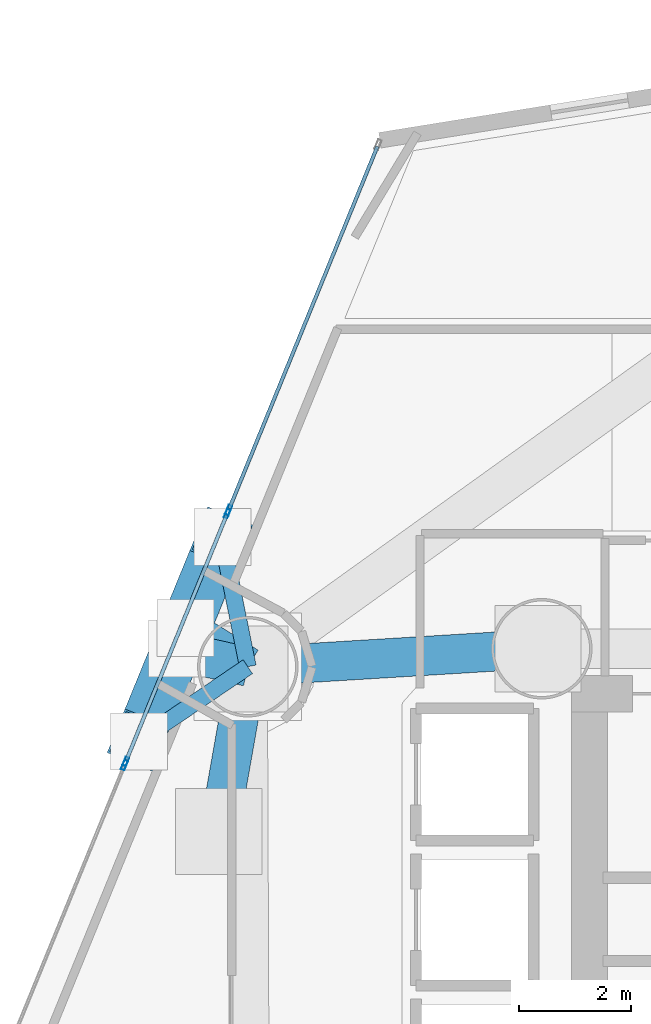
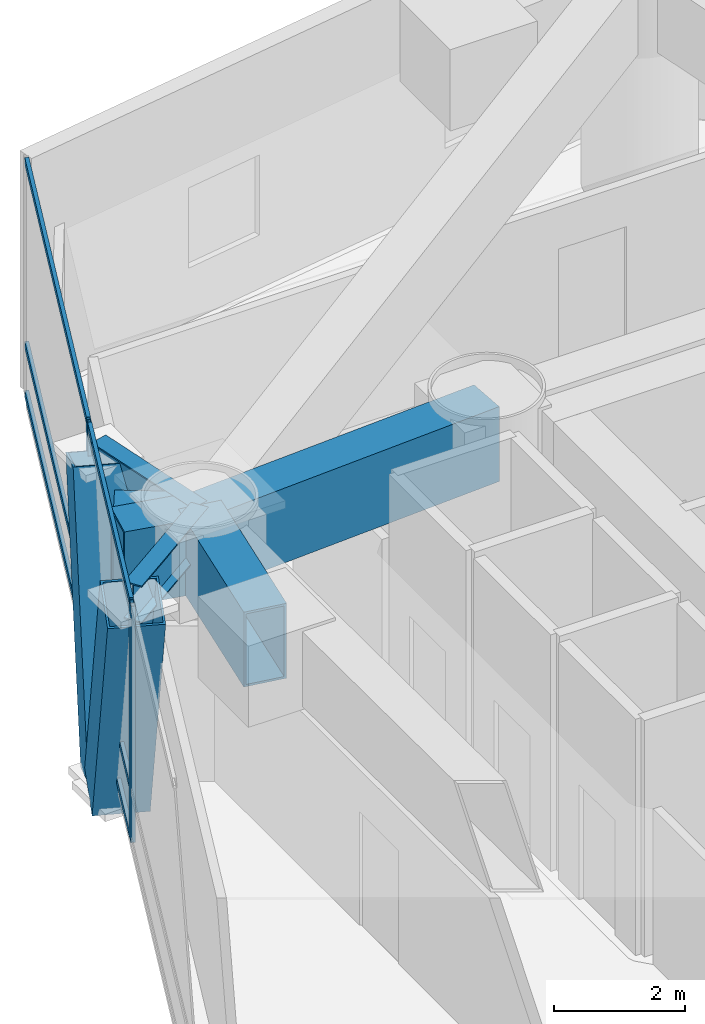
# One storey, part 7 of 22: 12 members, 6 beams, 3 elements without a shape of their own.
"""IFC4 building model written with IfcOpenShell, lengths in metres."""

from ifc_helpers import new_model, si_unit, direction, frame, origin, origin_2d, place, context, subcontext, project, spatial, hollow_rectangle, i_section, extrude, material, layer, layer_set, material_profile, profile_set, type_object, element, aggregate, save


model = new_model("IFC4")

# Units and contexts
model_context = context("Model", 3, precision=1e-05, world=origin(), true_north=direction((0.0, 1.0)))
body_context = subcontext(model_context, "Body", "Model", "MODEL_VIEW")
ifc_project = project(units=[si_unit("LENGTHUNIT", "METRE"), si_unit("AREAUNIT", "SQUARE_METRE"), si_unit("VOLUMEUNIT", "CUBIC_METRE"), si_unit("PLANEANGLEUNIT", "RADIAN"), si_unit("MASSUNIT", "GRAM", prefix="KILO")], contexts=[model_context])

# Site, building, storey
site_placement = place(None, origin())
site = spatial("IfcSite", under=ifc_project, at=site_placement, CompositionType="ELEMENT")
building_placement = place(site_placement, origin())
building = spatial("IfcBuilding", under=site, at=building_placement, Name="Qianvela Tower", CompositionType="ELEMENT")
storey_placement = place(building_placement, frame((0.0, 0.0, 47.89990234375)))
storey = spatial("IfcBuildingStorey", under=building, at=storey_placement, Name="L11", CompositionType="ELEMENT", Elevation=47.89990234375)

# Beams
ifc_material_1 = material(Name="Steel Q355B", Category="steel")
ifc_material_profile_1 = material_profile(ifc_material_1, i_section(OverallWidth=0.300048828125, OverallDepth=0.699951171875, WebThickness=0.012939453125, FlangeThickness=0.02392578125, at=origin_2d()), Name="HN700x300x13x24")
ifc_profile_set_1 = profile_set([ifc_material_profile_1], Name="Steel Q355B")
beam_type_1 = type_object("IfcBeamType", Name="BM-HN700-SPAND", PredefinedType="SPANDREL", material=ifc_profile_set_1)
for number, where, z_axis, x_axis, name in (
    (1, (23.337890625, 33.22802734375, 4.068115234375), (-0.196716257839, 0.980460460142, 0.0), (-0.980460460142, -0.196716257839, 0.0), "L11 Mega-Brace Column Tie Bracket F2-1"),
    (2, (23.337890625, 33.22802734375, 4.068115234375), (-0.827396363656, -0.561618426877, 0.0), (0.561618426877, -0.827396363656, 0.0), "L11 Mega-Brace Column Tie Bracket F2-2"),
):
    element("IfcBeam", number, at=place(storey_placement, frame(where, z_axis=z_axis, x_axis=x_axis)), inside=storey, type_object=beam_type_1, Name=name, PredefinedType="SPANDREL", context=body_context, shape_type="SweptSolid", body=[
        extrude(i_section(OverallWidth=0.300048828125, OverallDepth=0.699951171875, WebThickness=0.012939453125, FlangeThickness=0.02392578125, at=origin_2d()), origin(), (0.0, 0.0, 1.0), 2.346923828125),
    ])
ifc_material_2 = material(Name="Steel Q420GJC", Category="steel")
ifc_material_profile_2 = material_profile(ifc_material_2, hollow_rectangle(XDim=0.699951171875, YDim=1.39990234375, WallThickness=0.0400390625, at=origin_2d()), Name="TG-BOX-1400x700x40")
ifc_profile_set_2 = profile_set([ifc_material_profile_2], Name="Steel Q420GJC")
beam_type_2 = type_object("IfcBeamType", Name="BM-TG-RAD-1400", PredefinedType="BEAM", material=ifc_profile_set_2)
beam_1_placement = place(storey_placement, frame((28.60009765625, 33.550048828125, 3.718017578125), z_axis=(-0.998132820146, -0.061080875465, 0.0), x_axis=(0.061080875465, -0.998132820146, 0.0)))
element("IfcBeam", 3, at=beam_1_placement, inside=storey, type_object=beam_type_2, Name="L11 Radial Outrigger Top Transfer Girder 4", PredefinedType="BEAM", context=body_context, shape_type="SweptSolid", body=[
    extrude(hollow_rectangle(XDim=0.699951171875, YDim=1.39990234375, WallThickness=0.0400390625, at=origin_2d()), origin(), (0.0, 0.0, 1.0), 5.27197265625),
])
ifc_material_3 = material(Name="Steel Q420GJC", Category="steel")
ifc_material_profile_3 = material_profile(ifc_material_3, hollow_rectangle(XDim=0.699951171875, YDim=1.39990234375, WallThickness=0.0400390625, at=origin_2d()), Name="TG-BOX-1400x700x40")
ifc_profile_set_3 = profile_set([ifc_material_profile_3], Name="Steel Q420GJC")
beam_type_3 = type_object("IfcBeamType", Name="BM-TG-STEP-1400", PredefinedType="BEAM", material=ifc_profile_set_3)
for number, where, z_axis, x_axis, name in (
    (4, (23.337890625, 33.22802734375, 3.715087890625), (-0.849339242583, 0.527847374729, 0.0), (-0.527847374729, -0.849339242583, 0.0), "L11 Mega-Brace Zone Base Bracket F2-1"),
    (5, (23.337890625, 33.22802734375, 3.715087890625), (-0.975823670712, 0.21855929099, 0.0), (-0.21855929099, -0.975823670712, 0.0), "L11 Mega-Brace Zone Base Bracket F2-2"),
):
    element("IfcBeam", number, at=place(storey_placement, frame(where, z_axis=z_axis, x_axis=x_axis)), inside=storey, type_object=beam_type_3, Name=name, PredefinedType="BEAM", context=body_context, shape_type="SweptSolid", body=[
        extrude(hollow_rectangle(XDim=0.699951171875, YDim=1.39990234375, WallThickness=0.0400390625, at=origin_2d()), origin(), (0.0, 0.0, 1.0), 1.31689453125),
    ])
beam_2_placement = place(storey_placement, frame((23.337890625, 33.22802734375, 3.718017578125), z_axis=(-0.173505106817, -0.984832969548, 0.0), x_axis=(0.984832969548, -0.173505106817, 0.0)))
element("IfcBeam", 6, at=beam_2_placement, inside=storey, type_object=beam_type_3, Name="L11 Zone-Step Transfer Girder 4", PredefinedType="BEAM", context=body_context, shape_type="SweptSolid", body=[
    extrude(hollow_rectangle(XDim=0.699951171875, YDim=1.39990234375, WallThickness=0.0400390625, at=origin_2d()), origin(), (0.0, 0.0, 1.0), 2.932373046875),
])

# Curtain wall, members
ifc_material_4 = material(Name="Anodised Architectural Aluminium and Insulated Spandrel Panel", Category="aluminium")
ifc_layer_1 = layer(ifc_material_4, 0.179931640625)
ifc_layer_set_1 = layer_set([ifc_layer_1], Name="Anodised Architectural Aluminium and Insulated Spandrel Panel")
curtain_wall_type_1 = type_object("IfcCurtainWallType", Name="CW-BRACEBAY", PredefinedType="USERDEFINED", material=ifc_layer_set_1)
curtain_wall_1_placement = place(storey_placement, origin())
curtain_wall_1 = element("IfcCurtainWall", 7, at=curtain_wall_1_placement, inside=storey, type_object=curtain_wall_type_1, Name="L11 CW-BRACEBAY Curtain Wall 04B", ObjectType="CURTAIN_WALL_SYSTEM", PredefinedType="USERDEFINED")
ifc_material_5 = material(Name="Anodised Architectural Aluminium 6063-T6", Category="aluminium")
ifc_material_profile_4 = material_profile(ifc_material_5, hollow_rectangle(XDim=0.06494140625, YDim=0.159912109375, WallThickness=0.0048828125, at=origin_2d()), Name="ALU-MULL-65x160")
ifc_profile_set_4 = profile_set([ifc_material_profile_4], Name="Anodised Architectural Aluminium 6063-T6")
member_type_1 = type_object("IfcMemberType", Name="CW-BRACEBAY-MULL", PredefinedType="MULLION", material=ifc_profile_set_4)
member_1_placement = place(storey_placement, frame((22.968994140625, 35.9677734375, 0.0), z_axis=(0.0, 0.0, 1.0), x_axis=(0.925608563881, -0.378482214206, 0.0)))
member_1 = element("IfcMember", 8, at=member_1_placement, type_object=member_type_1, Name="CW-9 mullion 1", PredefinedType="MULLION", context=body_context, shape_type="SweptSolid", body=[
    extrude(hollow_rectangle(XDim=0.06494140625, YDim=0.159912109375, WallThickness=0.0048828125, at=origin_2d()), origin(), (0.0, 0.0, 1.0), 4.420166015625),
])
member_2_placement = place(storey_placement, frame((21.154296875, 31.529541015625, 0.0), z_axis=(0.0, 0.0, 1.0), x_axis=(0.925608563881, -0.378482214206, 0.0)))
member_2 = element("IfcMember", 9, at=member_2_placement, type_object=member_type_1, Name="CW-9 mullion 2", PredefinedType="MULLION", context=body_context, shape_type="SweptSolid", body=[
    extrude(hollow_rectangle(XDim=0.06494140625, YDim=0.159912109375, WallThickness=0.0048828125, at=origin_2d()), origin(), (0.0, 0.0, 1.0), 4.420166015625),
])
ifc_material_6 = material(Name="Anodised Architectural Aluminium 6063-T6", Category="aluminium")
ifc_material_profile_5 = material_profile(ifc_material_6, hollow_rectangle(XDim=0.06494140625, YDim=0.1298828125, WallThickness=0.00439453125, at=origin_2d()), Name="ALU-TRAN-65x130")
ifc_profile_set_5 = profile_set([ifc_material_profile_5], Name="Anodised Architectural Aluminium 6063-T6")
member_type_2 = type_object("IfcMemberType", Name="CW-BRACEBAY-TRAN", PredefinedType="USERDEFINED", material=ifc_profile_set_5)
member_3_placement = place(storey_placement, frame((22.956787109375, 35.937744140625, 0.03271484375), z_axis=(-0.378490147298, -0.925605319992, 0.0), x_axis=(0.925605319992, -0.378490147298, 0.0)))
member_3 = element("IfcMember", 10, at=member_3_placement, type_object=member_type_2, Name="CW-9 transom 1.1", ObjectType="TRANSOM", PredefinedType="USERDEFINED", context=body_context, shape_type="SweptSolid", body=[
    extrude(hollow_rectangle(XDim=0.06494140625, YDim=0.1298828125, WallThickness=0.00439453125, at=origin_2d()), origin(), (0.0, 0.0, 1.0), 4.72998046875),
])
member_4_placement = place(storey_placement, frame((22.956787109375, 35.937744140625, 0.9501953125), z_axis=(-0.378490147298, -0.925605319992, 0.0), x_axis=(0.925605319992, -0.378490147298, 0.0)))
member_4 = element("IfcMember", 11, at=member_4_placement, type_object=member_type_2, Name="CW-9 transom 1.2", ObjectType="TRANSOM", PredefinedType="USERDEFINED", context=body_context, shape_type="SweptSolid", body=[
    extrude(hollow_rectangle(XDim=0.06494140625, YDim=0.1298828125, WallThickness=0.00439453125, at=origin_2d()), origin(), (0.0, 0.0, 1.0), 4.72998046875),
])
member_5_placement = place(storey_placement, frame((22.956787109375, 35.937744140625, 4.3876953125), z_axis=(-0.378490147298, -0.925605319992, 0.0), x_axis=(0.925605319992, -0.378490147298, 0.0)))
member_5 = element("IfcMember", 12, at=member_5_placement, type_object=member_type_2, Name="CW-9 transom 1.3", ObjectType="TRANSOM", PredefinedType="USERDEFINED", context=body_context, shape_type="SweptSolid", body=[
    extrude(hollow_rectangle(XDim=0.06494140625, YDim=0.1298828125, WallThickness=0.00439453125, at=origin_2d()), origin(), (0.0, 0.0, 1.0), 4.72998046875),
])
aggregate(curtain_wall_1, [member_1, member_2, member_3, member_4, member_5])

# Curtain wall, member
ifc_material_7 = material(Name="Anodised Architectural Aluminium and Low-E Glass", Category="aluminium")
ifc_layer_2 = layer(ifc_material_7, 0.179931640625)
ifc_layer_set_2 = layer_set([ifc_layer_2], Name="Anodised Architectural Aluminium and Low-E Glass")
curtain_wall_type_2 = type_object("IfcCurtainWallType", Name="CW-COLIV-Z12", PredefinedType="USERDEFINED", material=ifc_layer_set_2)
curtain_wall_2_placement = place(storey_placement, origin())
curtain_wall_2 = element("IfcCurtainWall", 13, at=curtain_wall_2_placement, inside=storey, type_object=curtain_wall_type_2, Name="L11 CW-COLIV-Z12 Curtain Wall 04A", ObjectType="CURTAIN_WALL_SYSTEM", PredefinedType="USERDEFINED")
ifc_material_8 = material(Name="Anodised Architectural Aluminium 6063-T6", Category="aluminium")
ifc_material_profile_6 = material_profile(ifc_material_8, hollow_rectangle(XDim=0.070068359375, YDim=0.179931640625, WallThickness=0.0048828125, at=origin_2d()), Name="ALU-MULL-70x180")
ifc_profile_set_6 = profile_set([ifc_material_profile_6], Name="Anodised Architectural Aluminium 6063-T6")
member_type_3 = type_object("IfcMemberType", Name="CW-COLIV-Z12-MULL", PredefinedType="MULLION", material=ifc_profile_set_6)
member_6_placement = place(storey_placement, frame((22.99462890625, 36.0302734375, 0.0), z_axis=(0.0, 0.0, 1.0), x_axis=(0.925600936457, -0.378500867146, 0.0)))
member_6 = element("IfcMember", 14, at=member_6_placement, type_object=member_type_3, Name="CW-3 mullion 2", PredefinedType="MULLION", context=body_context, shape_type="SweptSolid", body=[
    extrude(hollow_rectangle(XDim=0.070068359375, YDim=0.179931640625, WallThickness=0.0048828125, at=origin_2d()), origin(), (0.0, 0.0, 1.0), 4.420166015625),
])

curtain_wall_3_placement = place(storey_placement, origin())
curtain_wall_3 = element("IfcCurtainWall", 15, at=curtain_wall_3_placement, inside=storey, type_object=curtain_wall_type_2, Name="L11 CW-COLIV-Z12 Curtain Wall 04C", ObjectType="CURTAIN_WALL_SYSTEM", PredefinedType="USERDEFINED")
member_7_placement = place(storey_placement, frame((21.128662109375, 31.467041015625, 0.0), z_axis=(0.0, 0.0, 1.0), x_axis=(0.925603684644, -0.378494146552, 0.0)))
member_7 = element("IfcMember", 16, at=member_7_placement, type_object=member_type_3, Name="CW-3 mullion 1", PredefinedType="MULLION", context=body_context, shape_type="SweptSolid", body=[
    extrude(hollow_rectangle(XDim=0.070068359375, YDim=0.179931640625, WallThickness=0.0048828125, at=origin_2d()), origin(), (0.0, 0.0, 1.0), 4.420166015625),
])
aggregate(curtain_wall_3, [member_7])

# Member
ifc_material_9 = material(Name="Anodised Architectural Aluminium 6063-T6", Category="aluminium")
ifc_material_profile_7 = material_profile(ifc_material_9, hollow_rectangle(XDim=0.06494140625, YDim=0.1298828125, WallThickness=0.00439453125, at=origin_2d()), Name="ALU-TRAN-65x130")
ifc_profile_set_7 = profile_set([ifc_material_profile_7], Name="Anodised Architectural Aluminium 6063-T6")
member_type_4 = type_object("IfcMemberType", Name="CW-COLIV-Z12-TRAN", PredefinedType="USERDEFINED", material=ifc_profile_set_7)
member_8_placement = place(storey_placement, frame((25.6572265625, 42.5419921875, 0.03271484375), z_axis=(-0.378487529616, -0.925606390387, 0.0), x_axis=(0.925606390387, -0.378487529616, 0.0)))
member_8 = element("IfcMember", 17, at=member_8_placement, type_object=member_type_4, Name="CW-3 transom 1.1", ObjectType="TRANSOM", PredefinedType="USERDEFINED", context=body_context, shape_type="SweptSolid", body=[
    extrude(hollow_rectangle(XDim=0.06494140625, YDim=0.1298828125, WallThickness=0.00439453125, at=origin_2d()), origin(), (0.0, 0.0, 1.0), 7.0),
])

member_9_placement = place(storey_placement, frame((25.6572265625, 42.5419921875, 0.9501953125), z_axis=(-0.378487529616, -0.925606390387, 0.0), x_axis=(0.925606390387, -0.378487529616, 0.0)))
member_9 = element("IfcMember", 18, at=member_9_placement, type_object=member_type_4, Name="CW-3 transom 1.2", ObjectType="TRANSOM", PredefinedType="USERDEFINED", context=body_context, shape_type="SweptSolid", body=[
    extrude(hollow_rectangle(XDim=0.06494140625, YDim=0.1298828125, WallThickness=0.00439453125, at=origin_2d()), origin(), (0.0, 0.0, 1.0), 7.0),
])

member_10_placement = place(storey_placement, frame((25.6572265625, 42.5419921875, 4.3876953125), z_axis=(-0.378487529616, -0.925606390387, 0.0), x_axis=(0.925606390387, -0.378487529616, 0.0)))
member_10 = element("IfcMember", 19, at=member_10_placement, type_object=member_type_4, Name="CW-3 transom 1.3", ObjectType="TRANSOM", PredefinedType="USERDEFINED", context=body_context, shape_type="SweptSolid", body=[
    extrude(hollow_rectangle(XDim=0.06494140625, YDim=0.1298828125, WallThickness=0.00439453125, at=origin_2d()), origin(), (0.0, 0.0, 1.0), 7.0),
])

aggregate(curtain_wall_2, [member_6, member_8, member_9, member_10])

# Members
ifc_material_10 = material(Name="Steel Q420GJC", Category="steel")
ifc_material_profile_8 = material_profile(ifc_material_10, hollow_rectangle(XDim=0.89990234375, YDim=0.89990234375, WallThickness=0.035888671875, at=origin_2d()), Name="MBOX-900x900x36")
ifc_profile_set_8 = profile_set([ifc_material_profile_8], Name="Steel Q420GJC")
member_type_5 = type_object("IfcMemberType", Name="MBR-MBRACE-900", PredefinedType="BRACE", material=ifc_profile_set_8)
member_11_placement = place(storey_placement, frame((22.227783203125, 33.943603515625, -0.65185546875), z_axis=(0.12914047314, 0.315752346601, 0.940012337054), x_axis=(-0.925578738015, 0.378555147547, 0.0)))
element("IfcMember", 20, at=member_11_placement, inside=storey, type_object=member_type_5, Name="L11 Tier 2 Exterior Mega-Brace F2A", PredefinedType="BRACE", context=body_context, shape_type="SweptSolid", body=[
    extrude(hollow_rectangle(XDim=0.89990234375, YDim=0.89990234375, WallThickness=0.035888671875, at=origin_2d()), origin(), (0.0, 0.0, 1.0), 5.021240234375),
])
member_12_placement = place(storey_placement, frame((22.061279296875, 33.53662109375, -0.65185546875), z_axis=(-0.132090869125, -0.322980352654, 0.937142301944), x_axis=(0.925584569081, -0.378540890101, 0.0)))
element("IfcMember", 21, at=member_12_placement, inside=storey, type_object=member_type_5, Name="L11 Tier 2 Exterior Mega-Brace F2B", PredefinedType="BRACE", context=body_context, shape_type="SweptSolid", body=[
    extrude(hollow_rectangle(XDim=0.89990234375, YDim=0.89990234375, WallThickness=0.035888671875, at=origin_2d()), origin(), (0.0, 0.0, 1.0), 5.03662109375),
])

save(model, "model.ifc")
